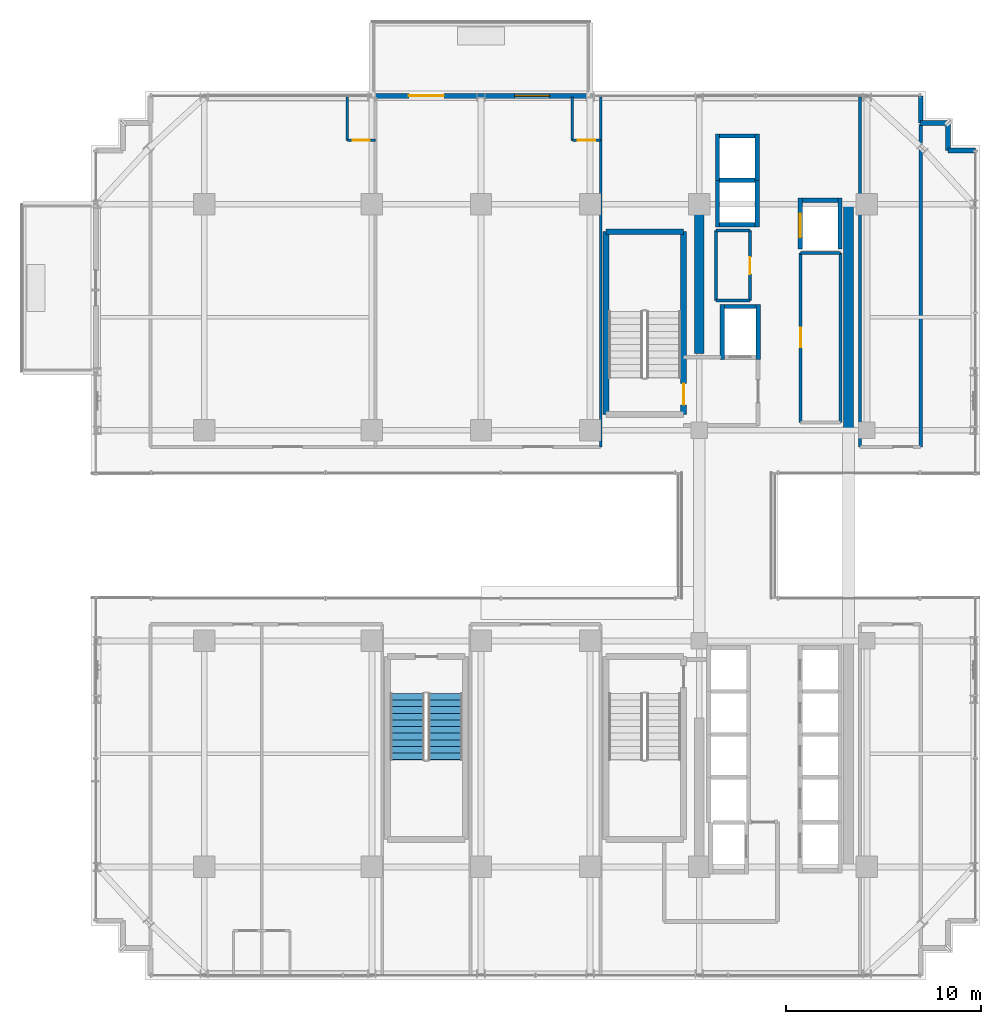
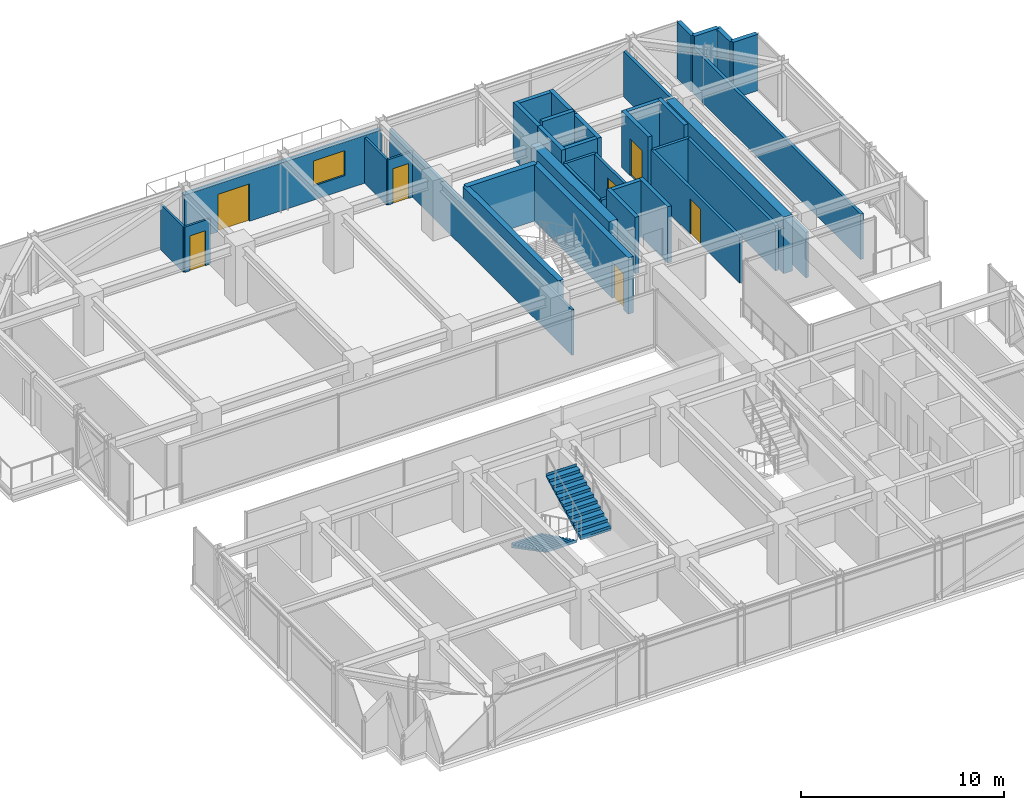
# One storey, part 38 of 43: 37 walls, 7 doors, 2 stair flights, 1 window, 8 openings, 1 element without a shape of its own.
"""IFC4 building model written with IfcOpenShell, lengths in metres."""

from ifc_helpers import new_model, si_unit, direction, frame, frame_2d, origin, place, context, subcontext, project, spatial, polyline, rectangle, outline, extrude, source, transform, mapped, material, layer, layer_set, type_object, element, fill, aggregate, save


model = new_model("IFC4")

# Units and contexts
model_context = context("Model", 3, precision=1e-05, world=origin(), true_north=direction((0.0, 1.0)))
body_context = subcontext(model_context, "Body", "Model", "MODEL_VIEW")
ifc_project = project(units=[si_unit("LENGTHUNIT", "METRE"), si_unit("AREAUNIT", "SQUARE_METRE"), si_unit("VOLUMEUNIT", "CUBIC_METRE"), si_unit("PLANEANGLEUNIT", "RADIAN"), si_unit("MASSUNIT", "GRAM", prefix="KILO")], contexts=[model_context])

# Site, building, storey
site_placement = place(None, origin())
site = spatial("IfcSite", under=ifc_project, at=site_placement, CompositionType="ELEMENT")
building_placement = place(site_placement, origin())
building = spatial("IfcBuilding", under=site, at=building_placement, Name="Nahalor Promenade Grand Hotel", CompositionType="ELEMENT")
storey_placement = place(building_placement, frame((0.0, 0.0, 181.85009765625)))
storey = spatial("IfcBuildingStorey", under=building, at=storey_placement, Name="L46", CompositionType="ELEMENT", Elevation=181.85009765625)

# Walls
ifc_material_1 = material(Name="Concrete B-60 (C50/60)", Category="concrete")
ifc_layer_1 = layer(ifc_material_1, 0.5)
ifc_layer_set_1 = layer_set([ifc_layer_1], Name="Concrete B-60 (C50/60)")
wall_type_1 = type_object("IfcWallType", Name="Wall-CoreShear-500", PredefinedType="SHEAR", material=ifc_layer_set_1)
shared_shape_1 = source(origin(), body_context, "Body", "SweptSolid", [
    extrude(rectangle(XDim=7.64990234375, YDim=0.5, at=frame_2d((3.824951171875, 0.0))), origin(), (0.0, 0.0, 1.0), 3.389892578125),
])
wall_1_placement = place(storey_placement, frame((8.39990234375, 9.35009765625, 0.0), z_axis=(0.0, 0.0, 1.0), x_axis=(0.0, 1.0, 0.0)))
element("IfcWall", 1, at=wall_1_placement, inside=storey, type_object=wall_type_1, Name="CWALL-L46-NW", PredefinedType="SHEAR", context=body_context, shape_type="MappedRepresentation", body=[
    mapped(shared_shape_1, transform((0.0, 0.0, 0.0), scale=1.0)),
])
shared_shape_2 = source(origin(), body_context, "Body", "SweptSolid", [
    extrude(rectangle(XDim=11.60009765625, YDim=0.5, at=frame_2d((5.800048828125, 0.0))), origin(), (0.0, 0.0, 1.0), 3.389892578125),
])
wall_2_placement = place(storey_placement, frame((16.050048828125, 5.39990234375, 0.0), z_axis=(0.0, 0.0, 1.0), x_axis=(0.0, 1.0, 0.0)))
element("IfcWall", 2, at=wall_2_placement, inside=storey, type_object=wall_type_1, Name="CWALL-L46-NE", PredefinedType="SHEAR", context=body_context, shape_type="MappedRepresentation", body=[
    mapped(shared_shape_2, transform((0.0, 0.0, 0.0), scale=1.0)),
])
ifc_material_2 = material(Name="Concrete B-50 (C40/50)", Category="concrete")
ifc_layer_2 = layer(ifc_material_2, 0.300048828125)
ifc_layer_set_2 = layer_set([ifc_layer_2], Name="Concrete B-50 (C40/50)")
wall_type_2 = type_object("IfcWallType", Name="Wall-ShaftShear-300", PredefinedType="SHEAR", material=ifc_layer_set_2)
shared_shape_3 = source(origin(), body_context, "Body", "SweptSolid", [
    extrude(rectangle(XDim=3.97998046875, YDim=0.300048828125, at=frame_2d((1.989990234375, 0.0))), origin(), (0.0, 0.0, 1.0), 3.389892578125),
])
wall_3_placement = place(storey_placement, frame((3.610107421875, 15.590087890625, 0.0), z_axis=(0.0, 0.0, 1.0), x_axis=(1.0, 0.0, 0.0)))
element("IfcWall", 3, at=wall_3_placement, inside=storey, type_object=wall_type_2, Name="L46 Exit Stair ST1 Shaft Wall N", PredefinedType="SHEAR", context=body_context, shape_type="MappedRepresentation", body=[
    mapped(shared_shape_3, transform((0.0, 0.0, 0.0), scale=1.0)),
])
shared_shape_4 = source(origin(), body_context, "Body", "SweptSolid", [
    extrude(rectangle(XDim=9.380126953125, YDim=0.300048828125, at=frame_2d((4.68994140625, 0.0))), origin(), (0.0, 0.0, 1.0), 3.389892578125),
])
wall_4_placement = place(storey_placement, frame((3.610107421875, 6.2099609375, 0.0), z_axis=(0.0, 0.0, 1.0), x_axis=(0.0, 1.0, 0.0)))
element("IfcWall", 4, at=wall_4_placement, inside=storey, type_object=wall_type_2, Name="L46 Exit Stair ST1 Shaft Wall W", PredefinedType="SHEAR", context=body_context, shape_type="MappedRepresentation", body=[
    mapped(shared_shape_4, transform((0.0, 0.0, 0.0), scale=1.0)),
])

# Wall, opening, door
wall_5_placement = place(storey_placement, frame((7.590087890625, 6.2099609375, 0.0), z_axis=(0.0, 0.0, 1.0), x_axis=(0.0, 1.0, 0.0)))
wall_5 = element("IfcWall", 5, at=wall_5_placement, inside=storey, type_object=wall_type_2, Name="L46 Exit Stair ST1 Shaft Wall E", PredefinedType="SHEAR", context=body_context, shape_type="MappedRepresentation", body=[
    mapped(shared_shape_4, transform((0.0, 0.0, 0.0), scale=1.0)),
])
opening_1_placement = place(wall_5_placement, frame((0.489990234375, 0.0, 0.0)))
opening_1 = element("IfcOpeningElement", 6, at=opening_1_placement, cuts=wall_5, Name="Opening D-ST1", PredefinedType="OPENING", context=body_context, shape_type="SweptSolid", body=[
    extrude(rectangle(XDim=1.10009765625, YDim=2.14990234375, at=frame_2d((0.550048828125, 1.074951171875))), frame((0.0, 0.159912109375, 0.0), z_axis=(0.0, -1.0, 0.0), x_axis=(1.0, 0.0, 0.0)), (0.0, 0.0, 1.0), 0.320068359375),
])
ifc_material_3 = material(Name="Steel S355JR", Category="steel")
door_type_1 = type_object("IfcDoorType", Name="Door-StairFire-1100", OperationType="NOTDEFINED", PredefinedType="DOOR", material=ifc_material_3)
shared_shape_5 = source(origin(), body_context, "Body", "SweptSolid", [
    extrude(rectangle(XDim=1.10009765625, YDim=2.14990234375, at=frame_2d((0.550048828125, 1.074951171875))), frame((0.0, 0.02490234375, 0.0), z_axis=(0.0, -1.0, 0.0), x_axis=(1.0, 0.0, 0.0)), (0.0, 0.0, 1.0), 0.050048828125),
])
door_1_placement = place(opening_1_placement, origin())
door_1 = element("IfcDoor", 7, at=door_1_placement, inside=storey, type_object=door_type_1, Name="DR-STAIR-ST1-L46", OperationType="SINGLE_SWING_LEFT", OverallHeight=2.14990234375, OverallWidth=1.10009765625, PredefinedType="DOOR", context=body_context, shape_type="MappedRepresentation", body=[
    mapped(shared_shape_5, transform((0.0, 0.0, 0.0), scale=1.0)),
])
fill(opening_1, door_1)

# Walls
ifc_layer_3 = layer(ifc_material_2, 0.219970703125)
ifc_layer_set_3 = layer_set([ifc_layer_3], Name="Concrete B-50 (C40/50)")
wall_type_3 = type_object("IfcWallType", Name="Wall-LiftShaft-220", PredefinedType="SHEAR", material=ifc_layer_set_3)
shared_shape_6 = source(origin(), body_context, "Body", "SweptSolid", [
    extrude(rectangle(XDim=1.820068359375, YDim=0.219970703125, at=frame_2d((0.91015625, 0.0))), origin(), (0.0, 0.0, 1.0), 3.64990234375),
])
wall_6_placement = place(storey_placement, frame((9.43994140625, 18.22509765625, 0.0), z_axis=(0.0, 0.0, 1.0), x_axis=(1.0, 0.0, 0.0)))
element("IfcWall", 8, at=wall_6_placement, inside=storey, type_object=wall_type_3, Name="L46 Lift OB1 Hoistway Wall N", PredefinedType="SHEAR", context=body_context, shape_type="MappedRepresentation", body=[
    mapped(shared_shape_6, transform((0.0, 0.0, 0.0), scale=1.0)),
])
shared_shape_7 = source(origin(), body_context, "Body", "SweptSolid", [
    extrude(rectangle(XDim=1.820068359375, YDim=0.219970703125, at=frame_2d((0.91015625, 0.0))), origin(), (0.0, 0.0, 1.0), 3.389892578125),
])
for number, where, z_axis, x_axis, name in (
    (9, (9.43994140625, 15.949951171875, 0.0), (0.0, 0.0, 1.0), (1.0, 0.0, 0.0), "L46 Lift OB1 Hoistway Wall S"),
    (10, (9.43994140625, 20.5, 0.0), (0.0, 0.0, 1.0), (1.0, 0.0, 0.0), "L46 Lift OB2 Hoistway Wall N"),
    (11, (13.68994140625, 17.199951171875, 0.0), (0.0, 0.0, 1.0), (1.0, 0.0, 0.0), "L46 Lift SV1 Hoistway Wall N"),
):
    element("IfcWall", number, at=place(storey_placement, frame(where, z_axis=z_axis, x_axis=x_axis)), inside=storey, type_object=wall_type_3, Name=name, PredefinedType="SHEAR", context=body_context, shape_type="MappedRepresentation", body=[
        mapped(shared_shape_7, transform((0.0, 0.0, 0.0), scale=1.0)),
    ])
shared_shape_8 = source(origin(), body_context, "Body", "SweptSolid", [
    extrude(rectangle(XDim=2.385009765625, YDim=0.219970703125, at=frame_2d((1.1923828125, 0.0))), origin(), (0.0, 0.0, 1.0), 3.389892578125),
])
for number, where, z_axis, x_axis, name in (
    (12, (9.330078125, 15.840087890625, 0.0), (0.0, 0.0, 1.0), (0.0, 1.0, 0.0), "L46 Lift OB1 Hoistway Wall W"),
    (13, (11.3701171875, 15.840087890625, 0.0), (0.0, 0.0, 1.0), (0.0, 1.0, 0.0), "L46 Lift OB1 Hoistway Wall E"),
    (14, (9.330078125, 18.22509765625, 0.0), (0.0, 0.0, 1.0), (0.0, 1.0, 0.0), "L46 Lift OB2 Hoistway Wall W"),
    (15, (11.3701171875, 18.22509765625, 0.0), (0.0, 0.0, 1.0), (0.0, 1.0, 0.0), "L46 Lift OB2 Hoistway Wall E"),
):
    element("IfcWall", number, at=place(storey_placement, frame(where, z_axis=z_axis, x_axis=x_axis)), inside=storey, type_object=wall_type_3, Name=name, PredefinedType="SHEAR", context=body_context, shape_type="MappedRepresentation", body=[
        mapped(shared_shape_8, transform((0.0, 0.0, 0.0), scale=1.0)),
    ])
shared_shape_9 = source(origin(), body_context, "Body", "SweptSolid", [
    extrude(rectangle(XDim=2.820068359375, YDim=0.219970703125, at=frame_2d((1.41015625, 0.0))), origin(), (0.0, 0.0, 1.0), 3.389892578125),
])
for number, where, z_axis, x_axis, name in (
    (16, (9.580078125, 9.0400390625, 0.0), (0.0, 0.0, 1.0), (0.0, 1.0, 0.0), "L46 Lift FL1 Hoistway Wall W"),
    (17, (11.419921875, 9.0400390625, 0.0), (0.0, 0.0, 1.0), (0.0, 1.0, 0.0), "L46 Lift FL1 Hoistway Wall E"),
):
    element("IfcWall", number, at=place(storey_placement, frame(where, z_axis=z_axis, x_axis=x_axis)), inside=storey, type_object=wall_type_3, Name=name, PredefinedType="SHEAR", context=body_context, shape_type="MappedRepresentation", body=[
        mapped(shared_shape_9, transform((0.0, 0.0, 0.0), scale=1.0)),
    ])
shared_shape_10 = source(origin(), body_context, "Body", "SweptSolid", [
    extrude(rectangle(XDim=1.6201171875, YDim=0.219970703125, at=frame_2d((0.81005859375, 0.0))), origin(), (0.0, 0.0, 1.0), 3.389892578125),
])
wall_7_placement = place(storey_placement, frame((9.68994140625, 11.75, 0.0), z_axis=(0.0, 0.0, 1.0), x_axis=(1.0, 0.0, 0.0)))
element("IfcWall", 18, at=wall_7_placement, inside=storey, type_object=wall_type_3, Name="L46 Lift FL1 Hoistway Wall N", PredefinedType="SHEAR", context=body_context, shape_type="MappedRepresentation", body=[
    mapped(shared_shape_10, transform((0.0, 0.0, 0.0), scale=1.0)),
])

# Wall, opening, door
shared_shape_11 = source(origin(), body_context, "Body", "SweptSolid", [
    extrude(rectangle(XDim=2.610107421875, YDim=0.219970703125, at=frame_2d((1.30517578125, 0.0))), origin(), (0.0, 0.0, 1.0), 3.389892578125),
])
wall_8_placement = place(storey_placement, frame((13.580078125, 14.699951171875, 0.0), z_axis=(0.0, 0.0, 1.0), x_axis=(0.0, 1.0, 0.0)))
wall_8 = element("IfcWall", 19, at=wall_8_placement, inside=storey, type_object=wall_type_3, Name="L46 Lift SV1 Hoistway Wall W", PredefinedType="SHEAR", context=body_context, shape_type="MappedRepresentation", body=[
    mapped(shared_shape_11, transform((0.0, 0.0, 0.0), scale=1.0)),
])
opening_2_placement = place(wall_8_placement, frame((0.60009765625, 0.0, 0.0)))
opening_2 = element("IfcOpeningElement", 20, at=opening_2_placement, cuts=wall_8, Name="Opening LD-03", PredefinedType="OPENING", context=body_context, shape_type="SweptSolid", body=[
    extrude(rectangle(XDim=1.199951171875, YDim=2.199951171875, at=frame_2d((0.60009765625, 1.10009765625))), frame((0.0, 0.119873046875, 0.0), z_axis=(0.0, -1.0, 0.0), x_axis=(1.0, 0.0, 0.0)), (0.0, 0.0, 1.0), 0.239990234375),
])
door_type_2 = type_object("IfcDoorType", Name="Door-LiftService-1200", OperationType="DOUBLE_DOOR_SLIDING", PredefinedType="DOOR", material=ifc_material_3)
shared_shape_12 = source(origin(), body_context, "Body", "SweptSolid", [
    extrude(rectangle(XDim=1.199951171875, YDim=2.199951171875, at=frame_2d((0.60009765625, 1.10009765625))), frame((0.0, 0.02490234375, 0.0), z_axis=(0.0, -1.0, 0.0), x_axis=(1.0, 0.0, 0.0)), (0.0, 0.0, 1.0), 0.050048828125),
])
door_2_placement = place(opening_2_placement, origin())
door_2 = element("IfcDoor", 21, at=door_2_placement, inside=storey, type_object=door_type_2, Name="DR-LIFT-SV1-L46", OperationType="DOUBLE_DOOR_SLIDING", OverallHeight=2.199951171875, OverallWidth=1.199951171875, PredefinedType="DOOR", context=body_context, shape_type="MappedRepresentation", body=[
    mapped(shared_shape_12, transform((0.0, 0.0, 0.0), scale=1.0)),
])
fill(opening_2, door_2)

# Walls
wall_9_placement = place(storey_placement, frame((15.6201171875, 14.699951171875, 0.0), z_axis=(0.0, 0.0, 1.0), x_axis=(0.0, 1.0, 0.0)))
element("IfcWall", 22, at=wall_9_placement, inside=storey, type_object=wall_type_3, Name="L46 Lift SV1 Hoistway Wall E", PredefinedType="SHEAR", context=body_context, shape_type="MappedRepresentation", body=[
    mapped(shared_shape_11, transform((0.0, 0.0, 0.0), scale=1.0)),
])
ifc_material_4 = material(Name="Concrete B-40 (C32/40)", Category="concrete")
ifc_layer_4 = layer(ifc_material_4, 0.25)
ifc_layer_set_4 = layer_set([ifc_layer_4], Name="Concrete B-40 (C32/40)")
wall_type_4 = type_object("IfcWallType", Name="Wall-BronzePier-250", PredefinedType="STANDARD", material=ifc_layer_set_4)
shared_shape_13 = source(origin(), body_context, "Body", "SweptSolid", [
    extrude(rectangle(XDim=1.400146484375, YDim=0.25, at=frame_2d((0.7001953125, 0.0))), origin(), (0.0, 0.0, 1.0), 3.389892578125),
])
for number, where, z_axis, x_axis, name in (
    (23, (21.159912109375, 19.760009765625, 0.0), (0.0, 0.0, 1.0), (1.0, 0.0, 0.0), "W-L46-SR-05"),
    (24, (19.760009765625, 21.159912109375, 0.0), (0.0, 0.0, 1.0), (0.0, 1.0, 0.0), "W-L46-SR-08"),
):
    element("IfcWall", number, at=place(storey_placement, frame(where, z_axis=z_axis, x_axis=x_axis)), inside=storey, type_object=wall_type_4, Name=name, PredefinedType="STANDARD", context=body_context, shape_type="MappedRepresentation", body=[
        mapped(shared_shape_13, transform((0.0, 0.0, 0.0), scale=1.0)),
    ])
shared_shape_14 = source(origin(), body_context, "Body", "SweptSolid", [
    extrude(rectangle(XDim=1.39990234375, YDim=0.25, at=frame_2d((0.699951171875, 0.0))), origin(), (0.0, 0.0, 1.0), 3.389892578125),
])
for number, where, z_axis, x_axis, name in (
    (25, (21.159912109375, 19.760009765625, 0.0), (0.0, 0.0, 1.0), (0.0, 1.0, 0.0), "W-L46-SR-06"),
    (26, (19.760009765625, 21.159912109375, 0.0), (0.0, 0.0, 1.0), (1.0, 0.0, 0.0), "W-L46-SR-07"),
):
    element("IfcWall", number, at=place(storey_placement, frame(where, z_axis=z_axis, x_axis=x_axis)), inside=storey, type_object=wall_type_4, Name=name, PredefinedType="STANDARD", context=body_context, shape_type="MappedRepresentation", body=[
        mapped(shared_shape_14, transform((0.0, 0.0, 0.0), scale=1.0)),
    ])

# Wall, openings, door, window
ifc_layer_5 = layer(ifc_material_4, 0.260009765625)
ifc_layer_set_5 = layer_set([ifc_layer_5], Name="Concrete B-40 (C32/40)")
wall_type_5 = type_object("IfcWallType", Name="Wall-BalconyWall-260", PredefinedType="STANDARD", material=ifc_layer_set_5)
shared_shape_15 = source(origin(), body_context, "Body", "SweptSolid", [
    extrude(rectangle(XDim=11.199951171875, YDim=0.260009765625, at=frame_2d((5.60009765625, 0.0))), origin(), (0.0, 0.0, 1.0), 2.869873046875),
])
wall_10_placement = place(storey_placement, frame((-8.39990234375, 22.56005859375, 0.0), z_axis=(0.0, 0.0, 1.0), x_axis=(1.0, 0.0, 0.0)))
wall_10 = element("IfcWall", 27, at=wall_10_placement, inside=storey, type_object=wall_type_5, Name="W-L46-BALC-N-2", PredefinedType="STANDARD", context=body_context, shape_type="MappedRepresentation", body=[
    mapped(shared_shape_15, transform((0.0, 0.0, 0.0), scale=1.0)),
])
opening_3_placement = place(wall_10_placement, frame((1.89990234375, 0.0, 0.0)))
opening_3 = element("IfcOpeningElement", 28, at=opening_3_placement, cuts=wall_10, Name="Opening D-BC1", PredefinedType="OPENING", context=body_context, shape_type="SweptSolid", body=[
    extrude(rectangle(XDim=1.800048828125, YDim=2.25, at=frame_2d((0.89990234375, 1.125))), frame((0.0, 0.139892578125, 0.0), z_axis=(0.0, -1.0, 0.0), x_axis=(1.0, 0.0, 0.0)), (0.0, 0.0, 1.0), 0.280029296875),
])
opening_4_placement = place(wall_10_placement, frame((7.320068359375, 0.0, 0.85009765625)))
opening_4 = element("IfcOpeningElement", 29, at=opening_4_placement, cuts=wall_10, Name="Opening WN-01", PredefinedType="OPENING", context=body_context, shape_type="SweptSolid", body=[
    extrude(rectangle(XDim=1.800048828125, YDim=1.5, at=frame_2d((0.89990234375, 0.75))), frame((0.0, 0.139892578125, 0.0), z_axis=(0.0, -1.0, 0.0), x_axis=(1.0, 0.0, 0.0)), (0.0, 0.0, 1.0), 0.280029296875),
])
ifc_material_5 = material(Name="Anodised Bronze Aluminium EN AW-6063 T6", Category="aluminium")
door_type_3 = type_object("IfcDoorType", Name="Door-BalconySlide-1800", OperationType="DOUBLE_DOOR_SLIDING", PredefinedType="DOOR", material=ifc_material_5)
shared_shape_16 = source(origin(), body_context, "Body", "SweptSolid", [
    extrude(rectangle(XDim=1.800048828125, YDim=2.25, at=frame_2d((0.89990234375, 1.125))), frame((0.0, 0.02490234375, 0.0), z_axis=(0.0, -1.0, 0.0), x_axis=(1.0, 0.0, 0.0)), (0.0, 0.0, 1.0), 0.050048828125),
])
door_3_placement = place(opening_3_placement, origin())
door_3 = element("IfcDoor", 30, at=door_3_placement, inside=storey, type_object=door_type_3, Name="DR-L46-BALC-N-2", OperationType="DOUBLE_DOOR_SLIDING", OverallHeight=2.25, OverallWidth=1.800048828125, PredefinedType="DOOR", context=body_context, shape_type="MappedRepresentation", body=[
    mapped(shared_shape_16, transform((0.0, 0.0, 0.0), scale=1.0)),
])
fill(opening_3, door_3)
ifc_material_6 = material(Name="Low-E Laminated Solar Glass", Category="glass")
window_type = type_object("IfcWindowType", Name="Win-ChicagoBay-1800x1500", PartitioningType="SINGLE_PANEL", PredefinedType="WINDOW", material=ifc_material_6)
shared_shape_17 = source(origin(), body_context, "Body", "SweptSolid", [
    extrude(rectangle(XDim=1.800048828125, YDim=1.5, at=frame_2d((0.89990234375, 0.75))), frame((0.0, 0.030029296875, 0.0), z_axis=(0.0, -1.0, 0.0), x_axis=(1.0, 0.0, 0.0)), (0.0, 0.0, 1.0), 0.06005859375),
])
window_placement = place(opening_4_placement, origin())
window = element("IfcWindow", 31, at=window_placement, inside=storey, type_object=window_type, Name="WN-L46-BALC-N-2-1", OverallHeight=1.5, OverallWidth=1.800048828125, PartitioningType="SINGLE_PANEL", PredefinedType="WINDOW", context=body_context, shape_type="MappedRepresentation", body=[
    mapped(shared_shape_17, transform((0.0, 0.0, 0.0), scale=1.0)),
])
fill(opening_4, window)

# Walls
ifc_material_7 = material(Name="Acoustic Mineral Gypsum", Category="gypsum")
ifc_layer_6 = layer(ifc_material_7, 0.14990234375)
ifc_layer_set_6 = layer_set([ifc_layer_6], Name="Acoustic Mineral Gypsum")
wall_type_6 = type_object("IfcWallType", Name="Wall-PartService-150", PredefinedType="PARTITIONING", material=ifc_layer_set_6)
shared_shape_18 = source(origin(), body_context, "Body", "SweptSolid", [
    extrude(rectangle(XDim=1.75, YDim=0.14990234375, at=frame_2d((0.875, 0.0))), origin(), (0.0, 0.0, 1.0), 2.72998046875),
])
for number, where, z_axis, x_axis, name in (
    (32, (9.25, 12.050048828125, 0.0), (0.0, 0.0, 1.0), (1.0, 0.0, 0.0), "W-L46-CK1A-S"),
    (33, (9.25, 15.64990234375, 0.0), (0.0, 0.0, 1.0), (1.0, 0.0, 0.0), "W-L46-CK1A-N"),
):
    element("IfcWall", number, at=place(storey_placement, frame(where, z_axis=z_axis, x_axis=x_axis)), inside=storey, type_object=wall_type_6, Name=name, PredefinedType="PARTITIONING", context=body_context, shape_type="MappedRepresentation", body=[
        mapped(shared_shape_18, transform((0.0, 0.0, 0.0), scale=1.0)),
    ])
shared_shape_19 = source(origin(), body_context, "Body", "SweptSolid", [
    extrude(rectangle(XDim=3.599853515625, YDim=0.14990234375, at=frame_2d((1.7998046875, 0.0))), origin(), (0.0, 0.0, 1.0), 2.72998046875),
])
wall_11_placement = place(storey_placement, frame((9.25, 12.050048828125, 0.0), z_axis=(0.0, 0.0, 1.0), x_axis=(0.0, 1.0, 0.0)))
element("IfcWall", 34, at=wall_11_placement, inside=storey, type_object=wall_type_6, Name="W-L46-CK1A-W", PredefinedType="PARTITIONING", context=body_context, shape_type="MappedRepresentation", body=[
    mapped(shared_shape_19, transform((0.0, 0.0, 0.0), scale=1.0)),
])

# Wall, opening, door
wall_12_placement = place(storey_placement, frame((11.0, 12.050048828125, 0.0), z_axis=(0.0, 0.0, 1.0), x_axis=(0.0, 1.0, 0.0)))
wall_12 = element("IfcWall", 35, at=wall_12_placement, inside=storey, type_object=wall_type_6, Name="W-L46-CK1A-E", PredefinedType="PARTITIONING", context=body_context, shape_type="MappedRepresentation", body=[
    mapped(shared_shape_19, transform((0.0, 0.0, 0.0), scale=1.0)),
])
opening_5_placement = place(wall_12_placement, frame((1.360107421875, 0.0, 0.0)))
opening_5 = element("IfcOpeningElement", 36, at=opening_5_placement, cuts=wall_12, Name="Opening D-03", PredefinedType="OPENING", context=body_context, shape_type="SweptSolid", body=[
    extrude(rectangle(XDim=0.8798828125, YDim=2.10009765625, at=frame_2d((0.43994140625, 1.050048828125))), frame((0.0, 0.0849609375, 0.0), z_axis=(0.0, -1.0, 0.0), x_axis=(1.0, 0.0, 0.0)), (0.0, 0.0, 1.0), 0.169921875),
])
ifc_material_8 = material(Name="Fire-Rated Timber Composite", Category="wood")
door_type_4 = type_object("IfcDoorType", Name="Door-BathSwing-880", OperationType="NOTDEFINED", PredefinedType="DOOR", material=ifc_material_8)
shared_shape_20 = source(origin(), body_context, "Body", "SweptSolid", [
    extrude(rectangle(XDim=0.8798828125, YDim=2.10009765625, at=frame_2d((0.43994140625, 1.050048828125))), frame((0.0, 0.02490234375, 0.0), z_axis=(0.0, -1.0, 0.0), x_axis=(1.0, 0.0, 0.0)), (0.0, 0.0, 1.0), 0.050048828125),
])
door_4_placement = place(opening_5_placement, origin())
door_4 = element("IfcDoor", 37, at=door_4_placement, inside=storey, type_object=door_type_4, Name="DR-L46-CK1A", OperationType="SINGLE_SWING_LEFT", OverallHeight=2.10009765625, OverallWidth=0.8798828125, PredefinedType="DOOR", context=body_context, shape_type="MappedRepresentation", body=[
    mapped(shared_shape_20, transform((0.0, 0.0, 0.0), scale=1.0)),
])
fill(opening_5, door_4)

# Wall
ifc_layer_7 = layer(ifc_material_7, 0.159912109375)
ifc_layer_set_7 = layer_set([ifc_layer_7], Name="Acoustic Mineral Gypsum")
wall_type_7 = type_object("IfcWallType", Name="Wall-PartCorridor-160", PredefinedType="PARTITIONING", material=ifc_layer_set_7)
shared_shape_21 = source(origin(), body_context, "Body", "SweptSolid", [
    extrude(rectangle(XDim=2.0498046875, YDim=0.159912109375, at=frame_2d((1.02490234375, 0.0))), origin(), (0.0, 0.0, 1.0), 2.72998046875),
])
wall_13_placement = place(storey_placement, frame((13.60009765625, 14.5, 0.0), z_axis=(0.0, 0.0, 1.0), x_axis=(1.0, 0.0, 0.0)))
element("IfcWall", 38, at=wall_13_placement, inside=storey, type_object=wall_type_7, Name="W-L46-FRB1-N", PredefinedType="PARTITIONING", context=body_context, shape_type="MappedRepresentation", body=[
    mapped(shared_shape_21, transform((0.0, 0.0, 0.0), scale=1.0)),
])

# Wall, opening, door
shared_shape_22 = source(origin(), body_context, "Body", "SweptSolid", [
    extrude(rectangle(XDim=8.699951171875, YDim=0.159912109375, at=frame_2d((4.35009765625, 0.0))), origin(), (0.0, 0.0, 1.0), 2.72998046875),
])
wall_14_placement = place(storey_placement, frame((13.60009765625, 5.800048828125, 0.0), z_axis=(0.0, 0.0, 1.0), x_axis=(0.0, 1.0, 0.0)))
wall_14 = element("IfcWall", 39, at=wall_14_placement, inside=storey, type_object=wall_type_7, Name="W-L46-FRB1-W", PredefinedType="PARTITIONING", context=body_context, shape_type="MappedRepresentation", body=[
    mapped(shared_shape_22, transform((0.0, 0.0, 0.0), scale=1.0)),
])
opening_6_placement = place(wall_14_placement, frame((3.85009765625, 0.0, 0.0)))
opening_6 = element("IfcOpeningElement", 40, at=opening_6_placement, cuts=wall_14, Name="Opening D-04", PredefinedType="OPENING", context=body_context, shape_type="SweptSolid", body=[
    extrude(rectangle(XDim=1.0, YDim=2.10009765625, at=frame_2d((0.5, 1.050048828125))), frame((0.0, 0.08984375, 0.0), z_axis=(0.0, -1.0, 0.0), x_axis=(1.0, 0.0, 0.0)), (0.0, 0.0, 1.0), 0.179931640625),
])
door_type_5 = type_object("IfcDoorType", Name="Door-ServiceFire-1000", OperationType="NOTDEFINED", PredefinedType="DOOR", material=ifc_material_3)
shared_shape_23 = source(origin(), body_context, "Body", "SweptSolid", [
    extrude(rectangle(XDim=1.0, YDim=2.10009765625, at=frame_2d((0.5, 1.050048828125))), frame((0.0, 0.02490234375, 0.0), z_axis=(0.0, -1.0, 0.0), x_axis=(1.0, 0.0, 0.0)), (0.0, 0.0, 1.0), 0.050048828125),
])
door_5_placement = place(opening_6_placement, frame((1.0, 0.0, 0.0), z_axis=(0.0, 0.0, 1.0), x_axis=(-1.0, 0.0, 0.0)))
door_5 = element("IfcDoor", 41, at=door_5_placement, inside=storey, type_object=door_type_5, Name="DR-L46-FRB1", OperationType="SINGLE_SWING_RIGHT", OverallHeight=2.10009765625, OverallWidth=1.0, PredefinedType="DOOR", context=body_context, shape_type="MappedRepresentation", body=[
    mapped(shared_shape_23, transform((0.0, 0.0, 0.0), scale=1.0)),
])
fill(opening_6, door_5)

# Walls
wall_15_placement = place(storey_placement, frame((15.64990234375, 5.800048828125, 0.0), z_axis=(0.0, 0.0, 1.0), x_axis=(0.0, 1.0, 0.0)))
element("IfcWall", 42, at=wall_15_placement, inside=storey, type_object=wall_type_7, Name="W-L46-FRB1-E", PredefinedType="PARTITIONING", context=body_context, shape_type="MappedRepresentation", body=[
    mapped(shared_shape_22, transform((0.0, 0.0, 0.0), scale=1.0)),
])
shared_shape_24 = source(origin(), body_context, "Body", "SweptSolid", [
    extrude(rectangle(XDim=17.949951171875, YDim=0.159912109375, at=frame_2d((8.97509765625, 0.0))), origin(), (0.0, 0.0, 1.0), 2.72998046875),
])
wall_16_placement = place(storey_placement, frame((16.64990234375, 4.550048828125, 0.0), z_axis=(0.0, 0.0, 1.0), x_axis=(0.0, 1.0, 0.0)))
element("IfcWall", 43, at=wall_16_placement, inside=storey, type_object=wall_type_7, Name="W-L46-ENE-W", PredefinedType="PARTITIONING", context=body_context, shape_type="MappedRepresentation", body=[
    mapped(shared_shape_24, transform((0.0, 0.0, 0.0), scale=1.0)),
])
shared_shape_25 = source(origin(), body_context, "Body", "SweptSolid", [
    extrude(rectangle(XDim=16.530029296875, YDim=0.159912109375, at=frame_2d((8.26513671875, 0.0))), origin(), (0.0, 0.0, 1.0), 2.72998046875),
])
wall_17_placement = place(storey_placement, frame((19.760009765625, 4.550048828125, 0.0), z_axis=(0.0, 0.0, 1.0), x_axis=(0.0, 1.0, 0.0)))
element("IfcWall", 44, at=wall_17_placement, inside=storey, type_object=wall_type_7, Name="W-L46-ENE-E", PredefinedType="PARTITIONING", context=body_context, shape_type="MappedRepresentation", body=[
    mapped(shared_shape_25, transform((0.0, 0.0, 0.0), scale=1.0)),
])

# Wall, opening, door
ifc_layer_8 = layer(ifc_material_7, 0.1201171875)
ifc_layer_set_8 = layer_set([ifc_layer_8], Name="Acoustic Mineral Gypsum")
wall_type_8 = type_object("IfcWallType", Name="Wall-PartBath-120", PredefinedType="PARTITIONING", material=ifc_layer_set_8)
shared_shape_26 = source(origin(), body_context, "Body", "SweptSolid", [
    extrude(rectangle(XDim=1.449951171875, YDim=0.1201171875, at=frame_2d((0.72509765625, 0.0))), origin(), (0.0, 0.0, 1.0), 2.72998046875),
])
wall_18_placement = place(storey_placement, frame((-9.659912109375, 20.280029296875, 0.0), z_axis=(0.0, 0.0, 1.0), x_axis=(1.0, 0.0, 0.0)))
wall_18 = element("IfcWall", 45, at=wall_18_placement, inside=storey, type_object=wall_type_8, Name="W-L46-N1-BH", PredefinedType="PARTITIONING", context=body_context, shape_type="MappedRepresentation", body=[
    mapped(shared_shape_26, transform((0.0, 0.0, 0.0), scale=1.0)),
])
opening_7_placement = place(wall_18_placement, frame((0.284912109375, 0.0, 0.0)))
opening_7 = element("IfcOpeningElement", 46, at=opening_7_placement, cuts=wall_18, Name="Opening D-03", PredefinedType="OPENING", context=body_context, shape_type="SweptSolid", body=[
    extrude(rectangle(XDim=0.8798828125, YDim=2.10009765625, at=frame_2d((0.43994140625, 1.050048828125))), frame((0.0, 0.070068359375, 0.0), z_axis=(0.0, -1.0, 0.0), x_axis=(1.0, 0.0, 0.0)), (0.0, 0.0, 1.0), 0.14013671875),
])
door_6_placement = place(opening_7_placement, origin())
door_6 = element("IfcDoor", 47, at=door_6_placement, inside=storey, type_object=door_type_4, Name="DR-L46-N1-BATH", OperationType="SINGLE_SWING_LEFT", OverallHeight=2.10009765625, OverallWidth=0.8798828125, PredefinedType="DOOR", context=body_context, shape_type="MappedRepresentation", body=[
    mapped(shared_shape_20, transform((0.0, 0.0, 0.0), scale=1.0)),
])
fill(opening_7, door_6)

# Walls
shared_shape_27 = source(origin(), body_context, "Body", "SweptSolid", [
    extrude(rectangle(XDim=2.219970703125, YDim=0.1201171875, at=frame_2d((1.10986328125, 0.0))), origin(), (0.0, 0.0, 1.0), 2.72998046875),
])
for number, where, z_axis, x_axis, name in (
    (48, (-9.659912109375, 20.280029296875, 0.0), (0.0, 0.0, 1.0), (0.0, 1.0, 0.0), "W-L46-N1-BV"),
    (49, (1.889892578125, 20.280029296875, 0.0), (0.0, 0.0, 1.0), (0.0, 1.0, 0.0), "W-L46-N2-BV"),
):
    element("IfcWall", number, at=place(storey_placement, frame(where, z_axis=z_axis, x_axis=x_axis)), inside=storey, type_object=wall_type_8, Name=name, PredefinedType="PARTITIONING", context=body_context, shape_type="MappedRepresentation", body=[
        mapped(shared_shape_27, transform((0.0, 0.0, 0.0), scale=1.0)),
    ])
ifc_layer_9 = layer(ifc_material_7, 0.139892578125)
ifc_layer_set_9 = layer_set([ifc_layer_9], Name="Acoustic Mineral Gypsum")
wall_type_9 = type_object("IfcWallType", Name="Wall-PartSuite-140", PredefinedType="PARTITIONING", material=ifc_layer_set_9)
shared_shape_28 = source(origin(), body_context, "Body", "SweptSolid", [
    extrude(rectangle(XDim=17.949951171875, YDim=0.139892578125, at=frame_2d((8.97509765625, 0.0))), origin(), (0.0, 0.0, 1.0), 2.72998046875),
])
wall_19_placement = place(storey_placement, frame((3.340087890625, 4.550048828125, 0.0), z_axis=(0.0, 0.0, 1.0), x_axis=(0.0, 1.0, 0.0)))
element("IfcWall", 50, at=wall_19_placement, inside=storey, type_object=wall_type_9, Name="W-L46-NW-ENDE", PredefinedType="PARTITIONING", context=body_context, shape_type="MappedRepresentation", body=[
    mapped(shared_shape_28, transform((0.0, 0.0, 0.0), scale=1.0)),
])

# Wall, opening, door
shared_shape_29 = source(origin(), body_context, "Body", "SweptSolid", [
    extrude(rectangle(XDim=1.4501953125, YDim=0.1201171875, at=frame_2d((0.72509765625, 0.0))), origin(), (0.0, 0.0, 1.0), 2.72998046875),
])
wall_20_placement = place(storey_placement, frame((1.889892578125, 20.280029296875, 0.0), z_axis=(0.0, 0.0, 1.0), x_axis=(1.0, 0.0, 0.0)))
wall_20 = element("IfcWall", 51, at=wall_20_placement, inside=storey, type_object=wall_type_8, Name="W-L46-N2-BH", PredefinedType="PARTITIONING", context=body_context, shape_type="MappedRepresentation", body=[
    mapped(shared_shape_29, transform((0.0, 0.0, 0.0), scale=1.0)),
])
opening_8_placement = place(wall_20_placement, frame((0.284912109375, 0.0, 0.0)))
opening_8 = element("IfcOpeningElement", 52, at=opening_8_placement, cuts=wall_20, Name="Opening D-03", PredefinedType="OPENING", context=body_context, shape_type="SweptSolid", body=[
    extrude(rectangle(XDim=0.8798828125, YDim=2.10009765625, at=frame_2d((0.43994140625, 1.050048828125))), frame((0.0, 0.070068359375, 0.0), z_axis=(0.0, -1.0, 0.0), x_axis=(1.0, 0.0, 0.0)), (0.0, 0.0, 1.0), 0.14013671875),
])
door_7_placement = place(opening_8_placement, origin())
door_7 = element("IfcDoor", 53, at=door_7_placement, inside=storey, type_object=door_type_4, Name="DR-L46-N2-BATH", OperationType="SINGLE_SWING_RIGHT", OverallHeight=2.10009765625, OverallWidth=0.8798828125, PredefinedType="DOOR", context=body_context, shape_type="MappedRepresentation", body=[
    mapped(shared_shape_20, transform((0.0, 0.0, 0.0), scale=1.0)),
])
fill(opening_8, door_7)

# Stair, stair flights
stair_type = type_object("IfcStairType", Name="Stair-ST3", PredefinedType="HALF_TURN_STAIR", material=ifc_material_2)
stair_placement = place(storey_placement, origin())
stair = element("IfcStair", 54, at=stair_placement, inside=storey, type_object=stair_type, Name="L46 ST3", PredefinedType="HALF_TURN_STAIR")
ifc_layer_10 = layer(ifc_material_2, 0.199951171875)
ifc_layer_set_10 = layer_set([ifc_layer_10], Name="Concrete B-50 (C40/50)")
stair_flight_type = type_object("IfcStairFlightType", Name="Flight-ST3", PredefinedType="STRAIGHT", material=ifc_layer_set_10)
shared_shape_30 = source(origin(), body_context, "Body", "SweptSolid", [
    extrude(outline(polyline([(-0.00390625, -0.1201171875), (-0.00390625, 0.0), (0.0, 0.0), (0.0, 0.166015625), (0.340087890625, 0.166015625), (0.340087890625, 0.331787109375), (0.679931640625, 0.331787109375), (0.679931640625, 0.497802734375), (1.02001953125, 0.497802734375), (1.02001953125, 0.66357421875), (1.360107421875, 0.66357421875), (1.360107421875, 0.82958984375), (1.699951171875, 0.82958984375), (1.699951171875, 0.995361328125), (2.0400390625, 0.995361328125), (2.0400390625, 1.161376953125), (2.3798828125, 1.161376953125), (2.3798828125, 1.327392578125), (2.719970703125, 1.327392578125), (2.719970703125, 1.4931640625), (3.06005859375, 1.4931640625), (3.06005859375, 1.6591796875), (3.39990234375, 1.6591796875), (3.39990234375, 1.824951171875), (3.404052734375, 1.824951171875), (3.404052734375, 1.64501953125), (0.02001953125, -0.1201171875), (-0.00390625, -0.1201171875)])), frame((0.0, 0.875, 0.0), z_axis=(0.0, -1.0, 0.0), x_axis=(1.0, 0.0, 0.0)), (0.0, 0.0, 1.0), 1.75),
])
stair_flight_1_placement = place(storey_placement, frame((-6.574951171875, -8.10009765625, 0.0), z_axis=(0.0, 0.0, 1.0), x_axis=(0.0, -1.0, 0.0)))
stair_flight_1 = element("IfcStairFlight", 55, at=stair_flight_1_placement, type_object=stair_flight_type, Name="ST3 flight 1", NumberOfRisers=11, NumberOfTreads=10, PredefinedType="STRAIGHT", RiserHeight=0.165909091, TreadLength=0.34, context=body_context, shape_type="MappedRepresentation", body=[
    mapped(shared_shape_30, transform((0.0, 0.0, 0.0), scale=1.0)),
])
stair_flight_2_placement = place(storey_placement, frame((-4.625, -11.5, 1.824951171875), z_axis=(0.0, 0.0, 1.0), x_axis=(0.0, 1.0, 0.0)))
stair_flight_2 = element("IfcStairFlight", 56, at=stair_flight_2_placement, type_object=stair_flight_type, Name="ST3 flight 2", NumberOfRisers=11, NumberOfTreads=10, PredefinedType="STRAIGHT", RiserHeight=0.165909091, TreadLength=0.34, context=body_context, shape_type="MappedRepresentation", body=[
    mapped(shared_shape_30, transform((0.0, 0.0, 0.0), scale=1.0)),
])
aggregate(stair, [stair_flight_1, stair_flight_2])

save(model, "model.ifc")
